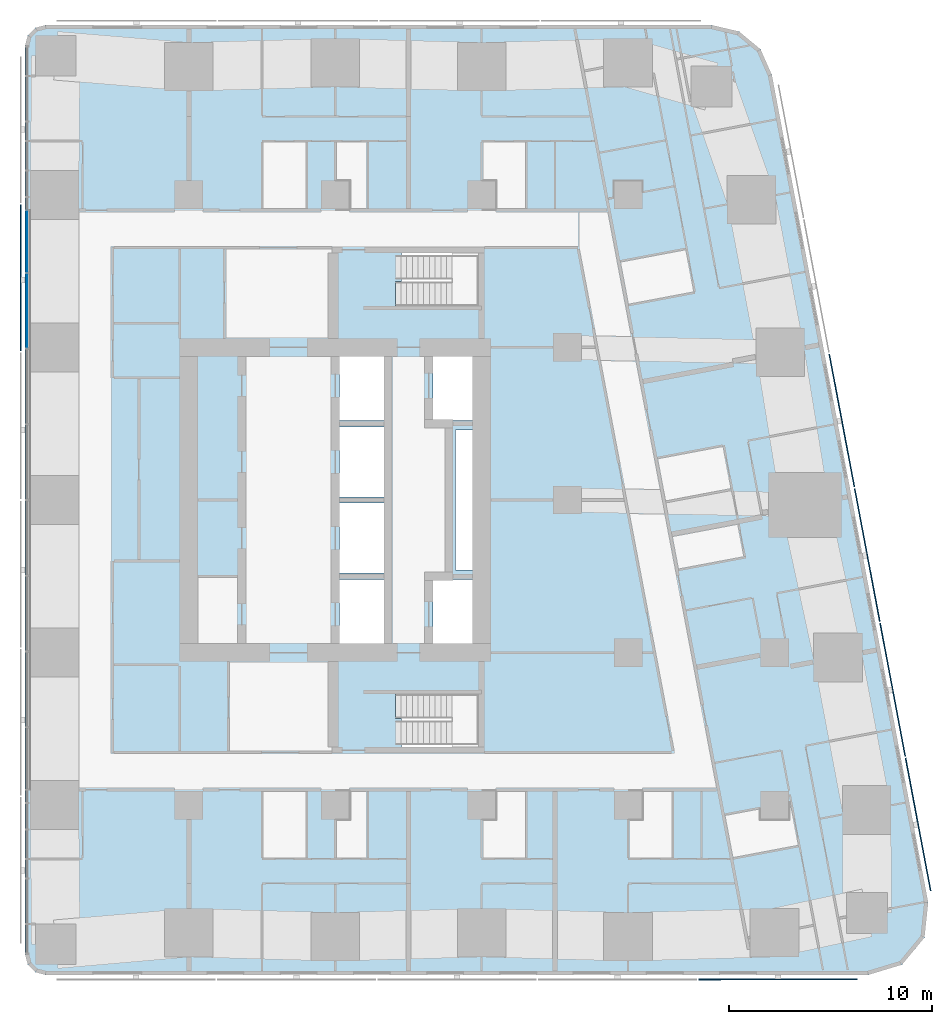
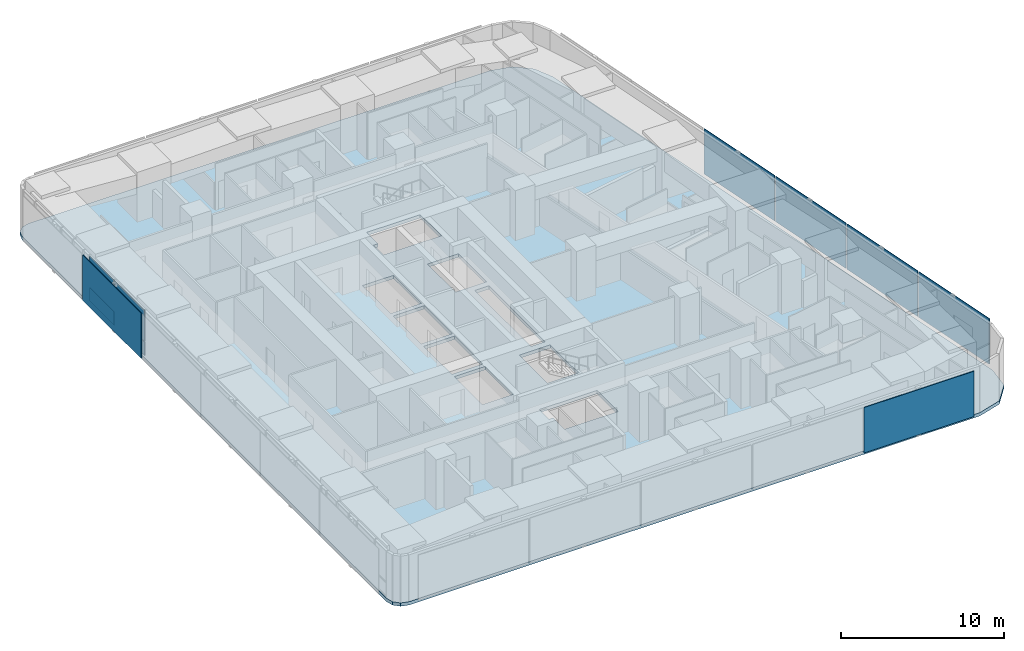
# One storey, part 8 of 19: 10 plates, 1 slab, 1 element without a shape of its own.
"""IFC4 building model written with IfcOpenShell, lengths in metres."""

from ifc_helpers import new_model, si_unit, direction, frame, origin, origin_2d, place, context, subcontext, project, spatial, polyline, rectangle, outline, extrude, material, layer, layer_set, type_object, element, aggregate, save


model = new_model("IFC4")

# Units and contexts
model_context = context("Model", 3, precision=1e-05, world=origin(), true_north=direction((0.0, 1.0)))
body_context = subcontext(model_context, "Body", "Model", "MODEL_VIEW")
ifc_project = project(units=[si_unit("LENGTHUNIT", "METRE"), si_unit("AREAUNIT", "SQUARE_METRE"), si_unit("VOLUMEUNIT", "CUBIC_METRE"), si_unit("PLANEANGLEUNIT", "RADIAN"), si_unit("MASSUNIT", "GRAM", prefix="KILO")], contexts=[model_context])

# Site, building, storey
site_placement = place(None, origin())
site = spatial("IfcSite", under=ifc_project, at=site_placement, CompositionType="ELEMENT")
building_placement = place(site_placement, origin())
building = spatial("IfcBuilding", under=site, at=building_placement, Name="Sheger Commons Tower", CompositionType="ELEMENT")
storey_placement = place(building_placement, frame((0.0, 0.0, 219.949951171875)))
storey = spatial("IfcBuildingStorey", under=building, at=storey_placement, Name="L56", CompositionType="ELEMENT", Elevation=219.949951171875)

# Curtain wall, plates
ifc_material_1 = material(Name="Black aluminium curtain wall, dark tinted glazing", Category="aluminium")
curtain_wall_type = type_object("IfcCurtainWallType", Name="CURTAIN WALL CW4 GALLERY", PredefinedType="USERDEFINED", material=ifc_material_1)
curtain_wall_placement = place(storey_placement, origin())
curtain_wall = element("IfcCurtainWall", 1, at=curtain_wall_placement, inside=storey, type_object=curtain_wall_type, Name="Curtain Wall Cw4 Gallery W1 L56", ObjectType="UNITISED CURTAIN WALL", PredefinedType="USERDEFINED")
ifc_material_2 = material(Name="Dark tinted double glazing", Category="glass")
ifc_layer_1 = layer(ifc_material_2, 0.031982421875)
ifc_layer_set_1 = layer_set([ifc_layer_1], Name="GLAZED PANEL 32")
plate_type_1 = type_object("IfcPlateType", Name="GLAZED PANEL 32", PredefinedType="CURTAIN_PANEL", material=ifc_layer_set_1)
plate_1_placement = place(storey_placement, frame((6.449951171875, 35.208984375, 0.065185546875), z_axis=(0.0, 0.0, 1.0), x_axis=(0.0, -1.0, 0.0)))
plate_1 = element("IfcPlate", 2, at=plate_1_placement, type_object=plate_type_1, Name="CW4 panel 7.1", PredefinedType="CURTAIN_PANEL", context=body_context, shape_type="SweptSolid", body=[
    extrude(rectangle(XDim=3.01708984375, YDim=0.031982421875, at=origin_2d()), origin(), (0.0, 0.0, 1.0), 1.00244140625),
])
plate_2_placement = place(storey_placement, frame((6.449951171875, 35.208984375, 1.13232421875), z_axis=(0.0, 0.0, 1.0), x_axis=(0.0, -1.0, 0.0)))
plate_2 = element("IfcPlate", 3, at=plate_2_placement, type_object=plate_type_1, Name="CW4 panel 7.2", PredefinedType="CURTAIN_PANEL", context=body_context, shape_type="SweptSolid", body=[
    extrude(rectangle(XDim=3.01708984375, YDim=0.031982421875, at=origin_2d()), origin(), (0.0, 0.0, 1.0), 2.302490234375),
])
plate_3_placement = place(storey_placement, frame((6.449951171875, 31.806884765625, 0.065185546875), z_axis=(0.0, 0.0, 1.0), x_axis=(0.0, -1.0, 0.0)))
plate_3 = element("IfcPlate", 4, at=plate_3_placement, type_object=plate_type_1, Name="CW4 panel 8.1", PredefinedType="CURTAIN_PANEL", context=body_context, shape_type="SweptSolid", body=[
    extrude(rectangle(XDim=3.656982421875, YDim=0.031982421875, at=origin_2d()), origin(), (0.0, 0.0, 1.0), 1.00244140625),
])
plate_4_placement = place(storey_placement, frame((6.449951171875, 31.806884765625, 1.13232421875), z_axis=(0.0, 0.0, 1.0), x_axis=(0.0, -1.0, 0.0)))
plate_4 = element("IfcPlate", 5, at=plate_4_placement, type_object=plate_type_1, Name="CW4 panel 8.2", PredefinedType="CURTAIN_PANEL", context=body_context, shape_type="SweptSolid", body=[
    extrude(rectangle(XDim=3.656982421875, YDim=0.031982421875, at=origin_2d()), origin(), (0.0, 0.0, 1.0), 2.302490234375),
])
aggregate(curtain_wall, [plate_1, plate_2, plate_3, plate_4])

# Slab
ifc_material_3 = material(Name="Concrete C35/45", Category="concrete")
ifc_layer_2 = layer(ifc_material_3, 0.25)
ifc_layer_set_2 = layer_set([ifc_layer_2], Name="SLAB FLOOR 250")
slab_type = type_object("IfcSlabType", Name="SLAB FLOOR 250", PredefinedType="FLOOR", material=ifc_layer_set_2)
slab_placement = place(storey_placement, frame((0.0, 0.0, -0.25)))
element("IfcSlab", 6, at=slab_placement, inside=storey, type_object=slab_type, Name="L56 floor slab", PredefinedType="FLOOR", context=body_context, shape_type="SweptSolid", body=[
    extrude(outline(polyline([(6.35009765625, 0.14990234375), (6.48388671875, -0.35009765625), (6.85009765625, -0.716064453125), (7.35009765625, -0.85009765625), (47.805908203125, -0.85009765625), (49.465087890625, -0.35009765625), (50.570068359375, 0.98388671875), (50.75390625, 2.70703125), (43.06591796875, 43.406982421875), (42.509033203125, 44.660888671875), (41.452880859375, 45.535888671875), (40.117919921875, 45.85009765625), (7.35009765625, 45.85009765625), (6.85009765625, 45.716064453125), (6.48388671875, 45.35009765625), (6.35009765625, 44.85009765625), (6.35009765625, 0.14990234375)]), holes=[polyline([(24.85009765625, 10.35009765625), (28.64990234375, 10.35009765625), (28.64990234375, 12.949951171875), (24.551025390625, 12.949951171875), (24.551025390625, 11.75), (24.85009765625, 11.75), (24.85009765625, 10.35009765625)]), polyline([(24.551025390625, 32.050048828125), (28.64990234375, 32.050048828125), (28.64990234375, 34.64990234375), (24.85009765625, 34.64990234375), (24.85009765625, 33.25), (24.551025390625, 33.25), (24.551025390625, 32.050048828125)]), polyline([(26.39990234375, 15.14990234375), (28.60009765625, 15.14990234375), (28.60009765625, 18.60009765625), (26.39990234375, 18.60009765625), (26.39990234375, 15.14990234375)]), polyline([(26.39990234375, 26.39990234375), (28.60009765625, 26.39990234375), (28.60009765625, 29.85009765625), (26.39990234375, 29.85009765625), (26.39990234375, 26.39990234375)]), polyline([(21.800048828125, 15.14990234375), (24.0, 15.14990234375), (24.0, 18.60009765625), (21.800048828125, 18.60009765625), (21.800048828125, 15.14990234375)]), polyline([(21.800048828125, 18.89990234375), (24.0, 18.89990234375), (24.0, 22.35009765625), (21.800048828125, 22.35009765625), (21.800048828125, 18.89990234375)]), polyline([(21.800048828125, 22.64990234375), (24.0, 22.64990234375), (24.0, 26.10009765625), (21.800048828125, 26.10009765625), (21.800048828125, 22.64990234375)]), polyline([(21.800048828125, 26.39990234375), (24.0, 26.39990234375), (24.0, 29.85009765625), (21.800048828125, 29.85009765625), (21.800048828125, 26.39990234375)]), polyline([(27.5, 19.050048828125), (28.5, 19.050048828125), (28.5, 25.949951171875), (27.5, 25.949951171875), (27.5, 19.050048828125)])]), origin(), (0.0, 0.0, 1.0), 0.25),
])

# Plates
ifc_material_4 = material(Name="Perforated black anodised aluminium screen", Category="aluminium")
ifc_layer_3 = layer(ifc_material_4, 0.050048828125)
ifc_layer_set_3 = layer_set([ifc_layer_3], Name="SOLAR SCREEN SCREEN-1")
plate_type_2 = type_object("IfcPlateType", Name="SOLAR SCREEN SCREEN-1", PredefinedType="USERDEFINED", material=ifc_layer_set_3)
plate_5_placement = place(storey_placement, frame((43.360107421875, -1.074951171875, 0.050048828125), z_axis=(0.0, 0.0, 1.0), x_axis=(1.0, 0.0, 0.0)))
element("IfcPlate", 7, at=plate_5_placement, inside=storey, type_object=plate_type_2, Name="Perforated solar screen panel", ObjectType="SCREEN", PredefinedType="USERDEFINED", context=body_context, shape_type="SweptSolid", body=[
    extrude(rectangle(XDim=7.791015625, YDim=0.050048828125, at=origin_2d()), origin(), (0.0, 0.0, 1.0), 3.39990234375),
])
for number, where, z_axis, x_axis, name in (
    (8, (50.257080078125, 6.550048828125, 0.050048828125), (0.0, 0.0, 1.0), (-0.185615165645, 0.982622516678, 0.0), "Perforated solar screen panel"),
    (9, (49.007080078125, 13.1689453125, 0.050048828125), (0.0, 0.0, 1.0), (-0.185615165645, 0.982622516678, 0.0), "Perforated solar screen panel"),
    (10, (47.756103515625, 19.7890625, 0.050048828125), (0.0, 0.0, 1.0), (-0.185615165645, 0.982622516678, 0.0), "Perforated solar screen panel"),
    (11, (46.506103515625, 26.408935546875, 0.050048828125), (0.0, 0.0, 1.0), (-0.185615165645, 0.982622516678, 0.0), "Perforated solar screen panel"),
):
    element("IfcPlate", number, at=place(storey_placement, frame(where, z_axis=z_axis, x_axis=x_axis)), inside=storey, type_object=plate_type_2, Name=name, ObjectType="SCREEN", PredefinedType="USERDEFINED", context=body_context, shape_type="SweptSolid", body=[
        extrude(rectangle(XDim=6.636962890625, YDim=0.050048828125, at=origin_2d()), origin(), (0.0, 0.0, 1.0), 3.39990234375),
    ])
plate_6_placement = place(storey_placement, frame((6.125, 33.425048828125, 0.050048828125), z_axis=(0.0, 0.0, 1.0), x_axis=(0.0, -1.0, 0.0)))
element("IfcPlate", 12, at=plate_6_placement, inside=storey, type_object=plate_type_2, Name="Perforated solar screen panel", ObjectType="SCREEN", PredefinedType="USERDEFINED", context=body_context, shape_type="SweptSolid", body=[
    extrude(rectangle(XDim=7.18310546875, YDim=0.050048828125, at=origin_2d()), origin(), (0.0, 0.0, 1.0), 3.39990234375),
])

save(model, "model.ifc")
